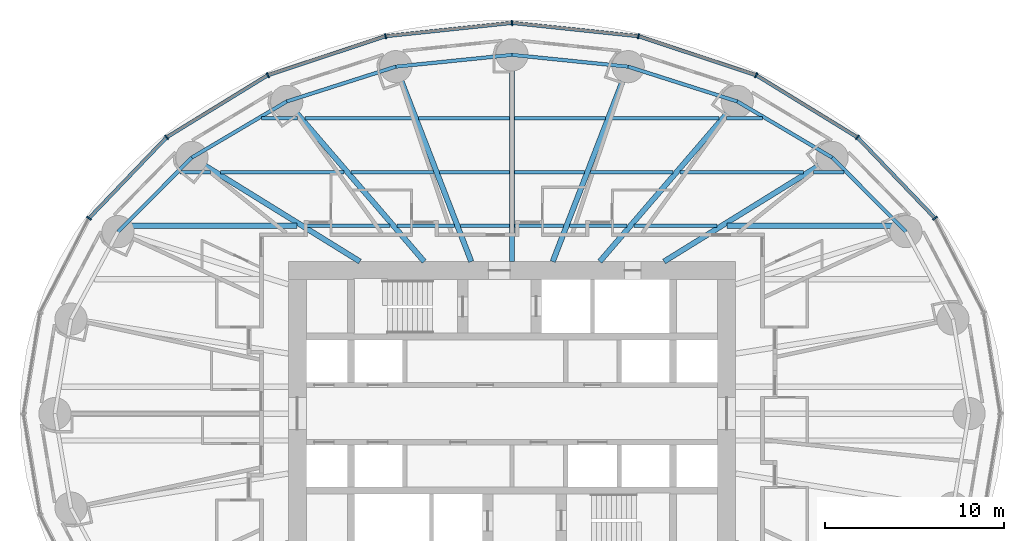
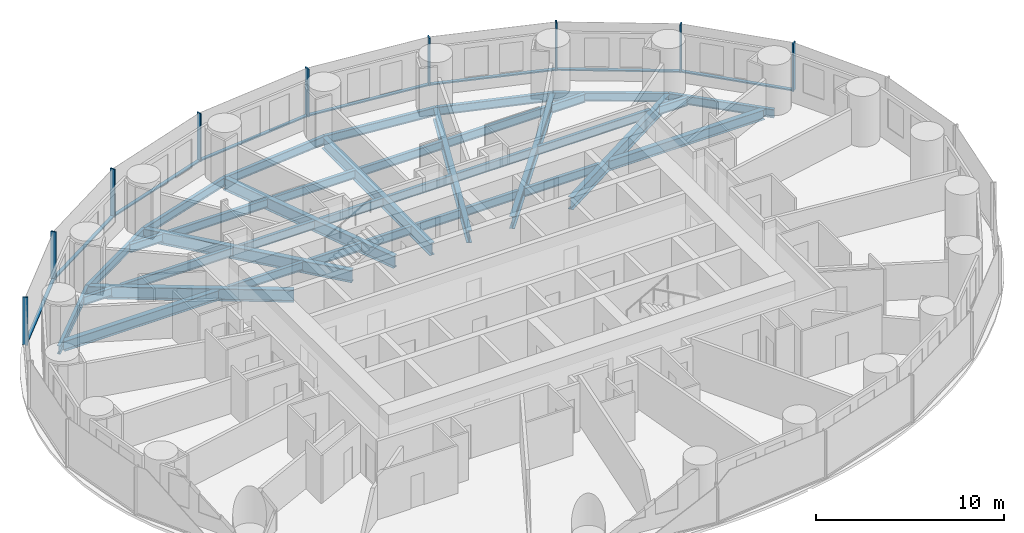
# One storey, part 4 of 14: 37 beams, 17 members, 2 elements without a shape of their own.
"""IFC4 building model written with IfcOpenShell, lengths in metres."""

from ifc_helpers import new_model, si_unit, direction, frame, origin, origin_2d, place, context, subcontext, project, spatial, rectangle, i_section, extrude, material, material_profile, profile_set, type_object, element, aggregate, save


model = new_model("IFC4")

# Units and contexts
model_context = context("Model", 3, precision=1e-05, world=origin(), true_north=direction((0.0, 1.0)))
body_context = subcontext(model_context, "Body", "Model", "MODEL_VIEW")
ifc_project = project(units=[si_unit("LENGTHUNIT", "METRE"), si_unit("AREAUNIT", "SQUARE_METRE"), si_unit("VOLUMEUNIT", "CUBIC_METRE"), si_unit("PLANEANGLEUNIT", "RADIAN"), si_unit("MASSUNIT", "GRAM", prefix="KILO")], contexts=[model_context])

# Site, building, storey
site_placement = place(None, origin())
site = spatial("IfcSite", under=ifc_project, at=site_placement, CompositionType="ELEMENT")
building_placement = place(site_placement, origin())
building = spatial("IfcBuilding", under=site, at=building_placement, Name="Hankou Lantern Tower", CompositionType="ELEMENT")
storey_placement = place(building_placement, frame((0.0, 0.0, 29.39990234375)))
storey = spatial("IfcBuildingStorey", under=building, at=storey_placement, Name="L05", CompositionType="ELEMENT", Elevation=29.39990234375)

# Beams
ifc_material_1 = material(Name="Steel Q355B", Category="steel")
ifc_material_profile_1 = material_profile(ifc_material_1, i_section(OverallWidth=0.199951171875, OverallDepth=0.550048828125, WebThickness=0.010009765625, FlangeThickness=0.01611328125, FilletRadius=0.012939453125, at=origin_2d()), Name="HN550x200x10x16")
ifc_profile_set_1 = profile_set([ifc_material_profile_1], Name="Steel Q355B")
beam_type_1 = type_object("IfcBeamType", Name="EB6 RING BEAM HN550x200x10x16", PredefinedType="SPANDREL", material=ifc_profile_set_1)
beam_1_placement = place(storey_placement, frame((22.01904296875, 10.170166015625, -0.454833984375), z_axis=(-0.705727798394, 0.708483079949, 0.0), x_axis=(-0.708483079949, -0.705727798394, 0.0)))
element("IfcBeam", 1, at=beam_1_placement, inside=storey, type_object=beam_type_1, Name="Ring beam R03-R04 L05", PredefinedType="SPANDREL", context=body_context, shape_type="SweptSolid", body=[
    extrude(i_section(OverallWidth=0.199951171875, OverallDepth=0.550048828125, WebThickness=0.010009765625, FlangeThickness=0.01611328125, FilletRadius=0.012939453125, at=origin_2d()), origin(), (0.0, 0.0, 1.0), 5.84814453125),
])
beam_2_placement = place(storey_placement, frame((17.891845703125, 14.3134765625, -0.454833984375), z_axis=(-0.860881533543, 0.508805449268, 0.0), x_axis=(-0.508805449268, -0.860881533543, 0.0)))
element("IfcBeam", 2, at=beam_2_placement, inside=storey, type_object=beam_type_1, Name="Ring beam R04-R05 L05", PredefinedType="SPANDREL", context=body_context, shape_type="SweptSolid", body=[
    extrude(i_section(OverallWidth=0.199951171875, OverallDepth=0.550048828125, WebThickness=0.010009765625, FlangeThickness=0.01611328125, FilletRadius=0.012939453125, at=origin_2d()), origin(), (0.0, 0.0, 1.0), 6.15771484375),
])
beam_3_placement = place(storey_placement, frame((12.5908203125, 17.446533203125, -0.454833984375), z_axis=(-0.952690479428, 0.303942182671, 0.0), x_axis=(-0.303942182671, -0.952690479428, 0.0)))
element("IfcBeam", 3, at=beam_3_placement, inside=storey, type_object=beam_type_1, Name="Ring beam R05-R06 L05", PredefinedType="SPANDREL", context=body_context, shape_type="SweptSolid", body=[
    extrude(i_section(OverallWidth=0.199951171875, OverallDepth=0.550048828125, WebThickness=0.010009765625, FlangeThickness=0.01611328125, FilletRadius=0.012939453125, at=origin_2d()), origin(), (0.0, 0.0, 1.0), 6.398681640625),
])
for number, where, z_axis, x_axis, name in (
    (4, (6.494873046875, 19.391357421875, -0.454833984375), (-0.994896616842, 0.100899562915, 0.0), (-0.100899562915, -0.994896616842, 0.0), "Ring beam R06-R07 L05"),
    (5, (0.0, 20.050048828125, -0.454833984375), (-0.994896616842, -0.100899562915, 0.0), (0.100899562915, -0.994896616842, 0.0), "Ring beam R07-R08 L05"),
):
    element("IfcBeam", number, at=place(storey_placement, frame(where, z_axis=z_axis, x_axis=x_axis)), inside=storey, type_object=beam_type_1, Name=name, PredefinedType="SPANDREL", context=body_context, shape_type="SweptSolid", body=[
        extrude(i_section(OverallWidth=0.199951171875, OverallDepth=0.550048828125, WebThickness=0.010009765625, FlangeThickness=0.01611328125, FilletRadius=0.012939453125, at=origin_2d()), origin(), (0.0, 0.0, 1.0), 6.528076171875),
    ])
beam_4_placement = place(storey_placement, frame((-6.494873046875, 19.391357421875, -0.454833984375), z_axis=(-0.952690479428, -0.303942182671, 0.0), x_axis=(0.303942182671, -0.952690479428, 0.0)))
element("IfcBeam", 6, at=beam_4_placement, inside=storey, type_object=beam_type_1, Name="Ring beam R08-R09 L05", PredefinedType="SPANDREL", context=body_context, shape_type="SweptSolid", body=[
    extrude(i_section(OverallWidth=0.199951171875, OverallDepth=0.550048828125, WebThickness=0.010009765625, FlangeThickness=0.01611328125, FilletRadius=0.012939453125, at=origin_2d()), origin(), (0.0, 0.0, 1.0), 6.398681640625),
])
beam_5_placement = place(storey_placement, frame((-12.5908203125, 17.446533203125, -0.454833984375), z_axis=(-0.860881533543, -0.508805449268, 0.0), x_axis=(0.508805449268, -0.860881533543, 0.0)))
element("IfcBeam", 7, at=beam_5_placement, inside=storey, type_object=beam_type_1, Name="Ring beam R09-R10 L05", PredefinedType="SPANDREL", context=body_context, shape_type="SweptSolid", body=[
    extrude(i_section(OverallWidth=0.199951171875, OverallDepth=0.550048828125, WebThickness=0.010009765625, FlangeThickness=0.01611328125, FilletRadius=0.012939453125, at=origin_2d()), origin(), (0.0, 0.0, 1.0), 6.15771484375),
])
beam_6_placement = place(storey_placement, frame((-17.891845703125, 14.3134765625, -0.454833984375), z_axis=(-0.705727798394, -0.708483079949, 0.0), x_axis=(0.708483079949, -0.705727798394, 0.0)))
element("IfcBeam", 8, at=beam_6_placement, inside=storey, type_object=beam_type_1, Name="Ring beam R10-R11 L05", PredefinedType="SPANDREL", context=body_context, shape_type="SweptSolid", body=[
    extrude(i_section(OverallWidth=0.199951171875, OverallDepth=0.550048828125, WebThickness=0.010009765625, FlangeThickness=0.01611328125, FilletRadius=0.012939453125, at=origin_2d()), origin(), (0.0, 0.0, 1.0), 5.84814453125),
])

# Curtain wall, members
ifc_material_2 = material(Name="Glass, dark grey tinted laminated", Category="glass")
curtain_wall_type = type_object("IfcCurtainWallType", Name="CWA OUTER SKIN LOW-RISE", PredefinedType="USERDEFINED", material=ifc_material_2)
curtain_wall_1_placement = place(storey_placement, origin())
curtain_wall_1 = element("IfcCurtainWall", 9, at=curtain_wall_1_placement, inside=storey, type_object=curtain_wall_type, Name="CWA L05 OS1", ObjectType="OUTER SKIN LOW-RISE", PredefinedType="USERDEFINED")
ifc_material_3 = material(Name="Aluminium, black anodised", Category="aluminium")
ifc_material_profile_2 = material_profile(ifc_material_3, rectangle(XDim=0.080078125, YDim=0.300048828125, at=origin_2d()), Name="MU1 80X300")
ifc_profile_set_2 = profile_set([ifc_material_profile_2], Name="Aluminium, black anodised")
member_type_1 = type_object("IfcMemberType", Name="MU1 OUTER SKIN MULLION 80X300", PredefinedType="MULLION", material=ifc_profile_set_2)
member_1_placement = place(storey_placement, frame((23.642578125, 10.919921875, 0.0), z_axis=(0.0, 0.0, 1.0), x_axis=(-0.585205735974, 0.810884854084, 0.0)))
member_1 = element("IfcMember", 10, at=member_1_placement, type_object=member_type_1, Name="CWA mullion 3", PredefinedType="MULLION", context=body_context, shape_type="SweptSolid", body=[
    extrude(rectangle(XDim=0.080078125, YDim=0.300048828125, at=origin_2d()), origin(), (0.0, 0.0, 1.0), 3.1201171875),
])
member_2_placement = place(storey_placement, frame((19.303955078125, 15.443115234375, 0.0), z_axis=(0.0, 0.0, 1.0), x_axis=(-0.780868809444, 0.624695047553, 0.0)))
member_2 = element("IfcMember", 11, at=member_2_placement, type_object=member_type_1, Name="CWA mullion 4", PredefinedType="MULLION", context=body_context, shape_type="SweptSolid", body=[
    extrude(rectangle(XDim=0.080078125, YDim=0.300048828125, at=origin_2d()), origin(), (0.0, 0.0, 1.0), 3.1201171875),
])
member_3_placement = place(storey_placement, frame((13.64990234375, 18.9140625, 0.0), z_axis=(0.0, 0.0, 1.0), x_axis=(-0.907841299004, 0.419313934686, 0.0)))
member_3 = element("IfcMember", 12, at=member_3_placement, type_object=member_type_1, Name="CWA mullion 5", PredefinedType="MULLION", context=body_context, shape_type="SweptSolid", body=[
    extrude(rectangle(XDim=0.080078125, YDim=0.300048828125, at=origin_2d()), origin(), (0.0, 0.0, 1.0), 3.1201171875),
])
member_4_placement = place(storey_placement, frame((7.065673828125, 21.095703125, 0.0), z_axis=(0.0, 0.0, 1.0), x_axis=(-0.977787659625, 0.209597931016, 0.0)))
member_4 = element("IfcMember", 13, at=member_4_placement, type_object=member_type_1, Name="CWA mullion 6", PredefinedType="MULLION", context=body_context, shape_type="SweptSolid", body=[
    extrude(rectangle(XDim=0.080078125, YDim=0.300048828125, at=origin_2d()), origin(), (0.0, 0.0, 1.0), 3.1201171875),
])

curtain_wall_2_placement = place(storey_placement, origin())
curtain_wall_2 = element("IfcCurtainWall", 14, at=curtain_wall_2_placement, inside=storey, type_object=curtain_wall_type, Name="CWA L05 OS2", ObjectType="OUTER SKIN LOW-RISE", PredefinedType="USERDEFINED")
member_5_placement = place(storey_placement, frame((0.0, 21.840087890625, 0.0), z_axis=(0.0, 0.0, 1.0), x_axis=(-0.994499359107, -0.104742659579, 0.0)))
member_5 = element("IfcMember", 15, at=member_5_placement, type_object=member_type_1, Name="CWA mullion 1", PredefinedType="MULLION", context=body_context, shape_type="SweptSolid", body=[
    extrude(rectangle(XDim=0.080078125, YDim=0.300048828125, at=origin_2d()), origin(), (0.0, 0.0, 1.0), 3.1201171875),
])
member_6_placement = place(storey_placement, frame((-7.065673828125, 21.095703125, 0.0), z_axis=(0.0, 0.0, 1.0), x_axis=(-0.977787659625, -0.209597931016, 0.0)))
member_6 = element("IfcMember", 16, at=member_6_placement, type_object=member_type_1, Name="CWA mullion 2", PredefinedType="MULLION", context=body_context, shape_type="SweptSolid", body=[
    extrude(rectangle(XDim=0.080078125, YDim=0.300048828125, at=origin_2d()), origin(), (0.0, 0.0, 1.0), 3.1201171875),
])
member_7_placement = place(storey_placement, frame((-13.64990234375, 18.9140625, 0.0), z_axis=(0.0, 0.0, 1.0), x_axis=(-0.907841299004, -0.419313934686, 0.0)))
member_7 = element("IfcMember", 17, at=member_7_placement, type_object=member_type_1, Name="CWA mullion 3", PredefinedType="MULLION", context=body_context, shape_type="SweptSolid", body=[
    extrude(rectangle(XDim=0.080078125, YDim=0.300048828125, at=origin_2d()), origin(), (0.0, 0.0, 1.0), 3.1201171875),
])
member_8_placement = place(storey_placement, frame((-19.303955078125, 15.443115234375, 0.0), z_axis=(0.0, 0.0, 1.0), x_axis=(-0.780868809444, -0.624695047553, 0.0)))
member_8 = element("IfcMember", 18, at=member_8_placement, type_object=member_type_1, Name="CWA mullion 4", PredefinedType="MULLION", context=body_context, shape_type="SweptSolid", body=[
    extrude(rectangle(XDim=0.080078125, YDim=0.300048828125, at=origin_2d()), origin(), (0.0, 0.0, 1.0), 3.1201171875),
])
member_9_placement = place(storey_placement, frame((-23.642578125, 10.919921875, 0.0), z_axis=(0.0, 0.0, 1.0), x_axis=(-0.585205735974, -0.810884854084, 0.0)))
member_9 = element("IfcMember", 19, at=member_9_placement, type_object=member_type_1, Name="CWA mullion 5", PredefinedType="MULLION", context=body_context, shape_type="SweptSolid", body=[
    extrude(rectangle(XDim=0.080078125, YDim=0.300048828125, at=origin_2d()), origin(), (0.0, 0.0, 1.0), 3.1201171875),
])

# Beams
ifc_material_4 = material(Name="Steel Q355B", Category="steel")
ifc_material_profile_3 = material_profile(ifc_material_4, i_section(OverallWidth=0.300048828125, OverallDepth=0.800048828125, WebThickness=0.013916015625, FlangeThickness=0.02587890625, FilletRadius=0.01806640625, at=origin_2d()), Name="HN800x300x14x26")
ifc_profile_set_3 = profile_set([ifc_material_profile_3], Name="Steel Q355B")
beam_type_2 = type_object("IfcBeamType", Name="RB11 RADIAL BEAM HN800x300x14x26", PredefinedType="BEAM", material=ifc_profile_set_3)
beam_7_placement = place(storey_placement, frame((8.5, 8.5, -0.579833984375), z_axis=(0.850286343288, 0.526320372414, 0.0), x_axis=(-0.526320372414, 0.850286343288, 0.0)))
element("IfcBeam", 20, at=beam_7_placement, inside=storey, type_object=beam_type_2, Name="Radial beam R04 L05", PredefinedType="BEAM", context=body_context, shape_type="SweptSolid", body=[
    extrude(i_section(OverallWidth=0.300048828125, OverallDepth=0.800048828125, WebThickness=0.013916015625, FlangeThickness=0.02587890625, FilletRadius=0.01806640625, at=origin_2d()), origin(), (0.0, 0.0, 1.0), 11.04541015625),
])
beam_8_placement = place(storey_placement, frame((4.907470703125, 8.5, -0.579833984375), z_axis=(0.651519061225, 0.758632264579, 0.0), x_axis=(-0.758632264579, 0.651519061225, 0.0)))
element("IfcBeam", 21, at=beam_8_placement, inside=storey, type_object=beam_type_2, Name="Radial beam R05 L05", PredefinedType="BEAM", context=body_context, shape_type="SweptSolid", body=[
    extrude(i_section(OverallWidth=0.300048828125, OverallDepth=0.800048828125, WebThickness=0.013916015625, FlangeThickness=0.02587890625, FilletRadius=0.01806640625, at=origin_2d()), origin(), (0.0, 0.0, 1.0), 11.79296875),
])
beam_9_placement = place(storey_placement, frame((2.277587890625, 8.5, -0.579833984375), z_axis=(0.361089103374, 0.932531318201, 0.0), x_axis=(-0.932531318201, 0.361089103374, 0.0)))
element("IfcBeam", 22, at=beam_9_placement, inside=storey, type_object=beam_type_2, Name="Radial beam R06 L05", PredefinedType="BEAM", context=body_context, shape_type="SweptSolid", body=[
    extrude(i_section(OverallWidth=0.300048828125, OverallDepth=0.800048828125, WebThickness=0.013916015625, FlangeThickness=0.02587890625, FilletRadius=0.01806640625, at=origin_2d()), origin(), (0.0, 0.0, 1.0), 11.679443359375),
])
beam_10_placement = place(storey_placement, frame((0.0, 8.5, -0.579833984375), z_axis=(0.0, 1.0, 0.0), x_axis=(-1.0, 0.0, 0.0)))
element("IfcBeam", 23, at=beam_10_placement, inside=storey, type_object=beam_type_2, Name="Radial beam R07 L05", PredefinedType="BEAM", context=body_context, shape_type="SweptSolid", body=[
    extrude(i_section(OverallWidth=0.300048828125, OverallDepth=0.800048828125, WebThickness=0.013916015625, FlangeThickness=0.02587890625, FilletRadius=0.01806640625, at=origin_2d()), origin(), (0.0, 0.0, 1.0), 11.550048828125),
])
beam_11_placement = place(storey_placement, frame((-2.277587890625, 8.5, -0.579833984375), z_axis=(-0.361089103374, 0.932531318201, 0.0), x_axis=(-0.932531318201, -0.361089103374, 0.0)))
element("IfcBeam", 24, at=beam_11_placement, inside=storey, type_object=beam_type_2, Name="Radial beam R08 L05", PredefinedType="BEAM", context=body_context, shape_type="SweptSolid", body=[
    extrude(i_section(OverallWidth=0.300048828125, OverallDepth=0.800048828125, WebThickness=0.013916015625, FlangeThickness=0.02587890625, FilletRadius=0.01806640625, at=origin_2d()), origin(), (0.0, 0.0, 1.0), 11.679443359375),
])
beam_12_placement = place(storey_placement, frame((-4.907470703125, 8.5, -0.579833984375), z_axis=(-0.651519061225, 0.758632264579, 0.0), x_axis=(-0.758632264579, -0.651519061225, 0.0)))
element("IfcBeam", 25, at=beam_12_placement, inside=storey, type_object=beam_type_2, Name="Radial beam R09 L05", PredefinedType="BEAM", context=body_context, shape_type="SweptSolid", body=[
    extrude(i_section(OverallWidth=0.300048828125, OverallDepth=0.800048828125, WebThickness=0.013916015625, FlangeThickness=0.02587890625, FilletRadius=0.01806640625, at=origin_2d()), origin(), (0.0, 0.0, 1.0), 11.79296875),
])
beam_13_placement = place(storey_placement, frame((-8.5, 8.5, -0.579833984375), z_axis=(-0.850286343288, 0.526320372414, 0.0), x_axis=(-0.526320372414, -0.850286343288, 0.0)))
element("IfcBeam", 26, at=beam_13_placement, inside=storey, type_object=beam_type_2, Name="Radial beam R10 L05", PredefinedType="BEAM", context=body_context, shape_type="SweptSolid", body=[
    extrude(i_section(OverallWidth=0.300048828125, OverallDepth=0.800048828125, WebThickness=0.013916015625, FlangeThickness=0.02587890625, FilletRadius=0.01806640625, at=origin_2d()), origin(), (0.0, 0.0, 1.0), 11.04541015625),
])
ifc_material_5 = material(Name="Steel Q355B", Category="steel")
ifc_material_profile_4 = material_profile(ifc_material_5, i_section(OverallWidth=0.199951171875, OverallDepth=0.550048828125, WebThickness=0.010009765625, FlangeThickness=0.01611328125, FilletRadius=0.012939453125, at=origin_2d()), Name="HN550x200x10x16")
ifc_profile_set_4 = profile_set([ifc_material_profile_4], Name="Steel Q355B")
beam_type_3 = type_object("IfcBeamType", Name="SB6 SECONDARY BEAM HN550x200x10x16", PredefinedType="JOIST", material=ifc_profile_set_4)
beam_14_placement = place(storey_placement, frame((-11.446044921875, 10.5, -0.454833984375), z_axis=(1.0, 0.0, 0.0), x_axis=(0.0, 1.0, 0.0)))
element("IfcBeam", 27, at=beam_14_placement, inside=storey, type_object=beam_type_3, Name="Floor joist J040 L05", PredefinedType="JOIST", context=body_context, shape_type="SweptSolid", body=[
    extrude(i_section(OverallWidth=0.199951171875, OverallDepth=0.550048828125, WebThickness=0.010009765625, FlangeThickness=0.01611328125, FilletRadius=0.012939453125, at=origin_2d()), origin(), (0.0, 0.0, 1.0), 4.623291015625),
])
beam_15_placement = place(storey_placement, frame((-6.427490234375, 10.5, -0.454833984375), z_axis=(1.0, 0.0, 0.0), x_axis=(0.0, 1.0, 0.0)))
element("IfcBeam", 28, at=beam_15_placement, inside=storey, type_object=beam_type_3, Name="Floor joist J041 L05", PredefinedType="JOIST", context=body_context, shape_type="SweptSolid", body=[
    extrude(i_section(OverallWidth=0.199951171875, OverallDepth=0.550048828125, WebThickness=0.010009765625, FlangeThickness=0.01611328125, FilletRadius=0.012939453125, at=origin_2d()), origin(), (0.0, 0.0, 1.0), 3.214599609375),
])
for number, where, z_axis, x_axis, name in (
    (29, (-2.89111328125, 10.5, -0.454833984375), (1.0, 0.0, 0.0), (0.0, 1.0, 0.0), "Floor joist J042 L05"),
    (30, (0.14990234375, 10.5, -0.454833984375), (1.0, 0.0, 0.0), (0.0, 1.0, 0.0), "Floor joist J043 L05"),
):
    element("IfcBeam", number, at=place(storey_placement, frame(where, z_axis=z_axis, x_axis=x_axis)), inside=storey, type_object=beam_type_3, Name=name, PredefinedType="JOIST", context=body_context, shape_type="SweptSolid", body=[
        extrude(i_section(OverallWidth=0.199951171875, OverallDepth=0.550048828125, WebThickness=0.010009765625, FlangeThickness=0.01611328125, FilletRadius=0.012939453125, at=origin_2d()), origin(), (0.0, 0.0, 1.0), 2.7412109375),
    ])
beam_16_placement = place(storey_placement, frame((3.212890625, 10.5, -0.454833984375), z_axis=(1.0, 0.0, 0.0), x_axis=(0.0, 1.0, 0.0)))
element("IfcBeam", 31, at=beam_16_placement, inside=storey, type_object=beam_type_3, Name="Floor joist J044 L05", PredefinedType="JOIST", context=body_context, shape_type="SweptSolid", body=[
    extrude(i_section(OverallWidth=0.199951171875, OverallDepth=0.550048828125, WebThickness=0.010009765625, FlangeThickness=0.01611328125, FilletRadius=0.012939453125, at=origin_2d()), origin(), (0.0, 0.0, 1.0), 3.214599609375),
])
beam_17_placement = place(storey_placement, frame((6.82275390625, 10.5, -0.454833984375), z_axis=(1.0, 0.0, 0.0), x_axis=(0.0, 1.0, 0.0)))
element("IfcBeam", 32, at=beam_17_placement, inside=storey, type_object=beam_type_3, Name="Floor joist J045 L05", PredefinedType="JOIST", context=body_context, shape_type="SweptSolid", body=[
    extrude(i_section(OverallWidth=0.199951171875, OverallDepth=0.550048828125, WebThickness=0.010009765625, FlangeThickness=0.01611328125, FilletRadius=0.012939453125, at=origin_2d()), origin(), (0.0, 0.0, 1.0), 4.623291015625),
])
beam_18_placement = place(storey_placement, frame((-18.560791015625, 13.5, -0.454833984375), z_axis=(1.0, 0.0, 0.0), x_axis=(0.0, 1.0, 0.0)))
element("IfcBeam", 33, at=beam_18_placement, inside=storey, type_object=beam_type_3, Name="Floor joist J047 L05", PredefinedType="JOIST", context=body_context, shape_type="SweptSolid", body=[
    extrude(i_section(OverallWidth=0.199951171875, OverallDepth=0.550048828125, WebThickness=0.010009765625, FlangeThickness=0.01611328125, FilletRadius=0.012939453125, at=origin_2d()), origin(), (0.0, 0.0, 1.0), 1.697998046875),
])
beam_19_placement = place(storey_placement, frame((-16.292724609375, 13.5, -0.454833984375), z_axis=(1.0, 0.0, 0.0), x_axis=(0.0, 1.0, 0.0)))
element("IfcBeam", 34, at=beam_19_placement, inside=storey, type_object=beam_type_3, Name="Floor joist J048 L05", PredefinedType="JOIST", context=body_context, shape_type="SweptSolid", body=[
    extrude(i_section(OverallWidth=0.199951171875, OverallDepth=0.550048828125, WebThickness=0.010009765625, FlangeThickness=0.01611328125, FilletRadius=0.012939453125, at=origin_2d()), origin(), (0.0, 0.0, 1.0), 6.893310546875),
])
beam_20_placement = place(storey_placement, frame((-9.00390625, 13.5, -0.454833984375), z_axis=(1.0, 0.0, 0.0), x_axis=(0.0, 1.0, 0.0)))
element("IfcBeam", 35, at=beam_20_placement, inside=storey, type_object=beam_type_3, Name="Floor joist J049 L05", PredefinedType="JOIST", context=body_context, shape_type="SweptSolid", body=[
    extrude(i_section(OverallWidth=0.199951171875, OverallDepth=0.550048828125, WebThickness=0.010009765625, FlangeThickness=0.01611328125, FilletRadius=0.012939453125, at=origin_2d()), origin(), (0.0, 0.0, 1.0), 4.62939453125),
])
for number, where, z_axis, x_axis, name in (
    (36, (-4.052734375, 13.5, -0.454833984375), (1.0, 0.0, 0.0), (0.0, 1.0, 0.0), "Floor joist J050 L05"),
    (37, (0.14990234375, 13.5, -0.454833984375), (1.0, 0.0, 0.0), (0.0, 1.0, 0.0), "Floor joist J051 L05"),
):
    element("IfcBeam", number, at=place(storey_placement, frame(where, z_axis=z_axis, x_axis=x_axis)), inside=storey, type_object=beam_type_3, Name=name, PredefinedType="JOIST", context=body_context, shape_type="SweptSolid", body=[
        extrude(i_section(OverallWidth=0.199951171875, OverallDepth=0.550048828125, WebThickness=0.010009765625, FlangeThickness=0.01611328125, FilletRadius=0.012939453125, at=origin_2d()), origin(), (0.0, 0.0, 1.0), 3.90283203125),
    ])
beam_21_placement = place(storey_placement, frame((4.37451171875, 13.5, -0.454833984375), z_axis=(1.0, 0.0, 0.0), x_axis=(0.0, 1.0, 0.0)))
element("IfcBeam", 38, at=beam_21_placement, inside=storey, type_object=beam_type_3, Name="Floor joist J052 L05", PredefinedType="JOIST", context=body_context, shape_type="SweptSolid", body=[
    extrude(i_section(OverallWidth=0.199951171875, OverallDepth=0.550048828125, WebThickness=0.010009765625, FlangeThickness=0.01611328125, FilletRadius=0.012939453125, at=origin_2d()), origin(), (0.0, 0.0, 1.0), 4.62939453125),
])
beam_22_placement = place(storey_placement, frame((9.3994140625, 13.5, -0.454833984375), z_axis=(1.0, 0.0, 0.0), x_axis=(0.0, 1.0, 0.0)))
element("IfcBeam", 39, at=beam_22_placement, inside=storey, type_object=beam_type_3, Name="Floor joist J053 L05", PredefinedType="JOIST", context=body_context, shape_type="SweptSolid", body=[
    extrude(i_section(OverallWidth=0.199951171875, OverallDepth=0.550048828125, WebThickness=0.010009765625, FlangeThickness=0.01611328125, FilletRadius=0.012939453125, at=origin_2d()), origin(), (0.0, 0.0, 1.0), 6.893310546875),
])
beam_23_placement = place(storey_placement, frame((16.86279296875, 13.5, -0.454833984375), z_axis=(1.0, 0.0, 0.0), x_axis=(0.0, 1.0, 0.0)))
element("IfcBeam", 40, at=beam_23_placement, inside=storey, type_object=beam_type_3, Name="Floor joist J054 L05", PredefinedType="JOIST", context=body_context, shape_type="SweptSolid", body=[
    extrude(i_section(OverallWidth=0.199951171875, OverallDepth=0.550048828125, WebThickness=0.010009765625, FlangeThickness=0.01611328125, FilletRadius=0.012939453125, at=origin_2d()), origin(), (0.0, 0.0, 1.0), 1.697998046875),
])
beam_24_placement = place(storey_placement, frame((-13.99560546875, 16.5, -0.454833984375), z_axis=(1.0, 0.0, 0.0), x_axis=(0.0, 1.0, 0.0)))
element("IfcBeam", 41, at=beam_24_placement, inside=storey, type_object=beam_type_3, Name="Floor joist J055 L05", PredefinedType="JOIST", context=body_context, shape_type="SweptSolid", body=[
    extrude(i_section(OverallWidth=0.199951171875, OverallDepth=0.550048828125, WebThickness=0.010009765625, FlangeThickness=0.01611328125, FilletRadius=0.012939453125, at=origin_2d()), origin(), (0.0, 0.0, 1.0), 2.019775390625),
])
beam_25_placement = place(storey_placement, frame((-11.580322265625, 16.5, -0.454833984375), z_axis=(1.0, 0.0, 0.0), x_axis=(0.0, 1.0, 0.0)))
element("IfcBeam", 42, at=beam_25_placement, inside=storey, type_object=beam_type_3, Name="Floor joist J056 L05", PredefinedType="JOIST", context=body_context, shape_type="SweptSolid", body=[
    extrude(i_section(OverallWidth=0.199951171875, OverallDepth=0.550048828125, WebThickness=0.010009765625, FlangeThickness=0.01611328125, FilletRadius=0.012939453125, at=origin_2d()), origin(), (0.0, 0.0, 1.0), 6.044189453125),
])
for number, where, z_axis, x_axis, name in (
    (43, (-5.21435546875, 16.5, -0.454833984375), (1.0, 0.0, 0.0), (0.0, 1.0, 0.0), "Floor joist J057 L05"),
    (44, (0.14990234375, 16.5, -0.454833984375), (1.0, 0.0, 0.0), (0.0, 1.0, 0.0), "Floor joist J058 L05"),
):
    element("IfcBeam", number, at=place(storey_placement, frame(where, z_axis=z_axis, x_axis=x_axis)), inside=storey, type_object=beam_type_3, Name=name, PredefinedType="JOIST", context=body_context, shape_type="SweptSolid", body=[
        extrude(i_section(OverallWidth=0.199951171875, OverallDepth=0.550048828125, WebThickness=0.010009765625, FlangeThickness=0.01611328125, FilletRadius=0.012939453125, at=origin_2d()), origin(), (0.0, 0.0, 1.0), 5.064453125),
    ])
beam_26_placement = place(storey_placement, frame((5.5361328125, 16.5, -0.454833984375), z_axis=(1.0, 0.0, 0.0), x_axis=(0.0, 1.0, 0.0)))
element("IfcBeam", 45, at=beam_26_placement, inside=storey, type_object=beam_type_3, Name="Floor joist J059 L05", PredefinedType="JOIST", context=body_context, shape_type="SweptSolid", body=[
    extrude(i_section(OverallWidth=0.199951171875, OverallDepth=0.550048828125, WebThickness=0.010009765625, FlangeThickness=0.01611328125, FilletRadius=0.012939453125, at=origin_2d()), origin(), (0.0, 0.0, 1.0), 6.044189453125),
])
beam_27_placement = place(storey_placement, frame((11.975830078125, 16.5, -0.454833984375), z_axis=(1.0, 0.0, 0.0), x_axis=(0.0, 1.0, 0.0)))
element("IfcBeam", 46, at=beam_27_placement, inside=storey, type_object=beam_type_3, Name="Floor joist J060 L05", PredefinedType="JOIST", context=body_context, shape_type="SweptSolid", body=[
    extrude(i_section(OverallWidth=0.199951171875, OverallDepth=0.550048828125, WebThickness=0.010009765625, FlangeThickness=0.01611328125, FilletRadius=0.012939453125, at=origin_2d()), origin(), (0.0, 0.0, 1.0), 2.019775390625),
])
ifc_material_6 = material(Name="Steel Q355B", Category="steel")
ifc_material_profile_5 = material_profile(ifc_material_6, i_section(OverallWidth=0.300048828125, OverallDepth=0.64990234375, WebThickness=0.010986328125, FlangeThickness=0.01708984375, FilletRadius=0.01806640625, at=origin_2d()), Name="HN650x300x11x17")
ifc_profile_set_5 = profile_set([ifc_material_profile_5], Name="Steel Q355B")
beam_type_4 = type_object("IfcBeamType", Name="SB8 SECONDARY BEAM HN650x300x11x17", PredefinedType="JOIST", material=ifc_profile_set_5)
for number, where, z_axis, x_axis, name in (
    (47, (-21.54931640625, 10.5, -0.5048828125), (1.0, 0.0, 0.0), (0.0, 1.0, 0.0), "Floor joist J039 L05"),
    (48, (12.01611328125, 10.5, -0.5048828125), (1.0, 0.0, 0.0), (0.0, 1.0, 0.0), "Floor joist J046 L05"),
):
    element("IfcBeam", number, at=place(storey_placement, frame(where, z_axis=z_axis, x_axis=x_axis)), inside=storey, type_object=beam_type_4, Name=name, PredefinedType="JOIST", context=body_context, shape_type="SweptSolid", body=[
        extrude(i_section(OverallWidth=0.300048828125, OverallDepth=0.64990234375, WebThickness=0.010986328125, FlangeThickness=0.01708984375, FilletRadius=0.01806640625, at=origin_2d()), origin(), (0.0, 0.0, 1.0), 9.533203125),
    ])

# Member
ifc_material_7 = material(Name="Aluminium, black anodised", Category="aluminium")
ifc_material_profile_6 = material_profile(ifc_material_7, rectangle(XDim=0.199951171875, YDim=0.080078125, at=origin_2d()), Name="TR1 200X80")
ifc_profile_set_6 = profile_set([ifc_material_profile_6], Name="Aluminium, black anodised")
member_type_2 = type_object("IfcMemberType", Name="TR1 OUTER SKIN TRANSOM 200X80", PredefinedType="USERDEFINED", material=ifc_profile_set_6)
member_10_placement = place(storey_placement, frame((23.61474609375, 10.948974609375, 0.0400390625), z_axis=(-0.692215537374, 0.721690827029, 0.0), x_axis=(-0.721690827029, -0.692215537374, 0.0)))
member_10 = element("IfcMember", 49, at=member_10_placement, type_object=member_type_2, Name="CWA transom 3", ObjectType="TRANSOM", PredefinedType="USERDEFINED", context=body_context, shape_type="SweptSolid", body=[
    extrude(rectangle(XDim=0.199951171875, YDim=0.080078125, at=origin_2d()), origin(), (0.0, 0.0, 1.0), 6.187255859375),
])

member_11_placement = place(storey_placement, frame((19.27001953125, 15.464111328125, 0.0400390625), z_axis=(-0.85223969557, 0.523151508929, 0.0), x_axis=(-0.523151508929, -0.85223969557, 0.0)))
member_11 = element("IfcMember", 50, at=member_11_placement, type_object=member_type_2, Name="CWA transom 4", ObjectType="TRANSOM", PredefinedType="USERDEFINED", context=body_context, shape_type="SweptSolid", body=[
    extrude(rectangle(XDim=0.199951171875, YDim=0.080078125, at=origin_2d()), origin(), (0.0, 0.0, 1.0), 6.554443359375),
])

member_12_placement = place(storey_placement, frame((13.612060546875, 18.926513671875, 0.0400390625), z_axis=(-0.949237318771, 0.314560825044, 0.0), x_axis=(-0.314560825044, -0.949237318771, 0.0)))
member_12 = element("IfcMember", 51, at=member_12_placement, type_object=member_type_2, Name="CWA transom 5", ObjectType="TRANSOM", PredefinedType="USERDEFINED", context=body_context, shape_type="SweptSolid", body=[
    extrude(rectangle(XDim=0.199951171875, YDim=0.080078125, at=origin_2d()), origin(), (0.0, 0.0, 1.0), 6.8564453125),
])

member_13_placement = place(storey_placement, frame((7.02587890625, 21.10009765625, 0.0400390625), z_axis=(-0.994502215033, 0.104715539888, 0.0), x_axis=(-0.104715539888, -0.994502215033, 0.0)))
member_13 = element("IfcMember", 52, at=member_13_placement, type_object=member_type_2, Name="CWA transom 6", ObjectType="TRANSOM", PredefinedType="USERDEFINED", context=body_context, shape_type="SweptSolid", body=[
    extrude(rectangle(XDim=0.199951171875, YDim=0.080078125, at=origin_2d()), origin(), (0.0, 0.0, 1.0), 7.024658203125),
])

aggregate(curtain_wall_1, [member_1, member_2, member_3, member_4, member_10, member_11, member_12, member_13])

member_14_placement = place(storey_placement, frame((-0.039794921875, 21.835693359375, 0.0400390625), z_axis=(-0.994502215033, -0.104715539888, 0.0), x_axis=(0.104715539888, -0.994502215033, 0.0)))
member_14 = element("IfcMember", 53, at=member_14_placement, type_object=member_type_2, Name="CWA transom 1", ObjectType="TRANSOM", PredefinedType="USERDEFINED", context=body_context, shape_type="SweptSolid", body=[
    extrude(rectangle(XDim=0.199951171875, YDim=0.080078125, at=origin_2d()), origin(), (0.0, 0.0, 1.0), 7.024658203125),
])

member_15_placement = place(storey_placement, frame((-7.103759765625, 21.083251953125, 0.0400390625), z_axis=(-0.949237318771, -0.314560825044, 0.0), x_axis=(0.314560825044, -0.949237318771, 0.0)))
member_15 = element("IfcMember", 54, at=member_15_placement, type_object=member_type_2, Name="CWA transom 2", ObjectType="TRANSOM", PredefinedType="USERDEFINED", context=body_context, shape_type="SweptSolid", body=[
    extrude(rectangle(XDim=0.199951171875, YDim=0.080078125, at=origin_2d()), origin(), (0.0, 0.0, 1.0), 6.8564453125),
])

member_16_placement = place(storey_placement, frame((-13.68408203125, 18.89306640625, 0.0400390625), z_axis=(-0.85223969557, -0.523151508929, 0.0), x_axis=(0.523151508929, -0.85223969557, 0.0)))
member_16 = element("IfcMember", 55, at=member_16_placement, type_object=member_type_2, Name="CWA transom 3", ObjectType="TRANSOM", PredefinedType="USERDEFINED", context=body_context, shape_type="SweptSolid", body=[
    extrude(rectangle(XDim=0.199951171875, YDim=0.080078125, at=origin_2d()), origin(), (0.0, 0.0, 1.0), 6.554443359375),
])

member_17_placement = place(storey_placement, frame((-19.331787109375, 15.414306640625, 0.0400390625), z_axis=(-0.692215537374, -0.721690827029, 0.0), x_axis=(0.721690827029, -0.692215537374, 0.0)))
member_17 = element("IfcMember", 56, at=member_17_placement, type_object=member_type_2, Name="CWA transom 4", ObjectType="TRANSOM", PredefinedType="USERDEFINED", context=body_context, shape_type="SweptSolid", body=[
    extrude(rectangle(XDim=0.199951171875, YDim=0.080078125, at=origin_2d()), origin(), (0.0, 0.0, 1.0), 6.187255859375),
])

aggregate(curtain_wall_2, [member_5, member_6, member_7, member_8, member_9, member_14, member_15, member_16, member_17])

save(model, "model.ifc")
